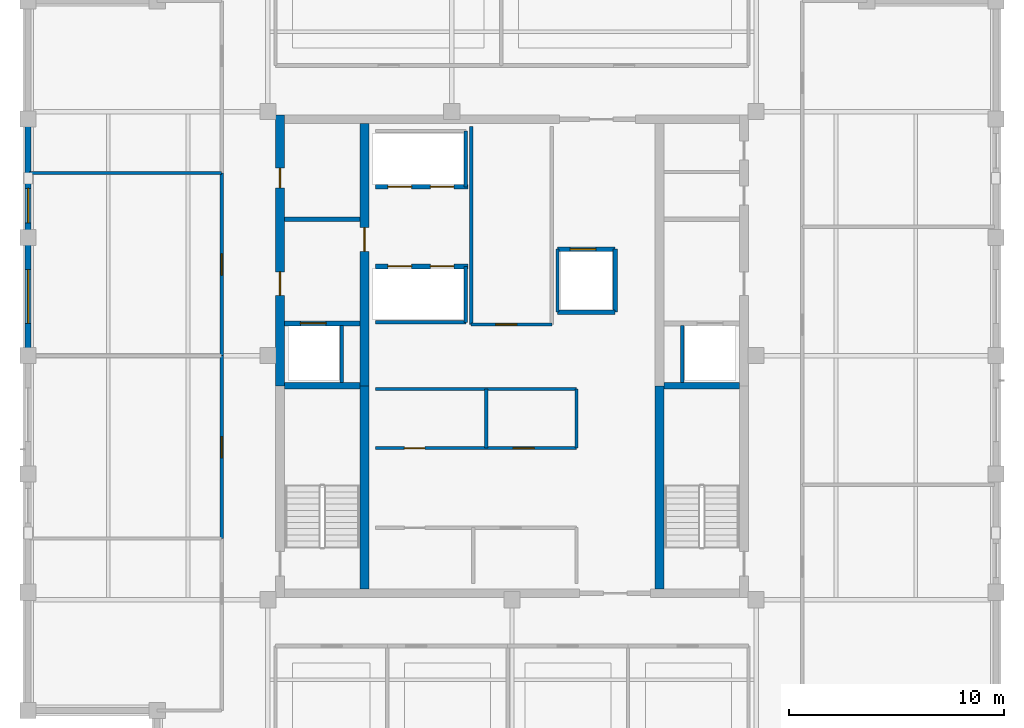
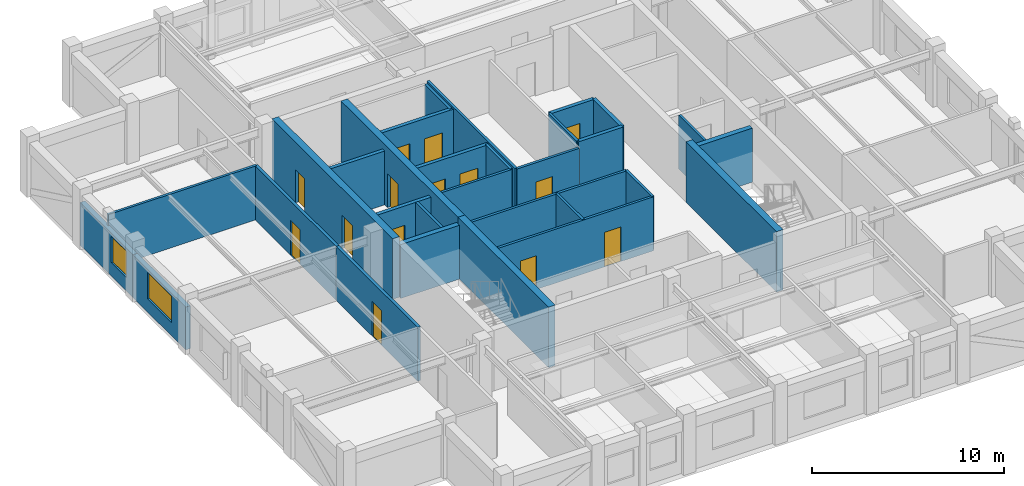
# One storey, part 6 of 10: 30 walls, 14 doors, 2 windows, 16 openings.
"""IFC4 building model written with IfcOpenShell, lengths in metres."""

from ifc_helpers import new_model, si_unit, direction, frame, frame_2d, origin, place, context, subcontext, project, spatial, rectangle, extrude, material, layer, layer_set, type_object, element, fill, save


model = new_model("IFC4")

# Units and contexts
model_context = context("Model", 3, precision=1e-05, world=origin(), true_north=direction((0.0, 1.0)))
body_context = subcontext(model_context, "Body", "Model", "MODEL_VIEW")
ifc_project = project(units=[si_unit("LENGTHUNIT", "METRE"), si_unit("AREAUNIT", "SQUARE_METRE"), si_unit("VOLUMEUNIT", "CUBIC_METRE"), si_unit("PLANEANGLEUNIT", "RADIAN"), si_unit("MASSUNIT", "GRAM", prefix="KILO")], contexts=[model_context])

# Site, building, storey
site_placement = place(None, origin())
site = spatial("IfcSite", under=ifc_project, at=site_placement, CompositionType="ELEMENT")
building_placement = place(site_placement, origin())
building = spatial("IfcBuilding", under=site, at=building_placement, Name="Nhamokura Convention Tower", CompositionType="ELEMENT")
storey_placement = place(building_placement, frame((0.0, 0.0, 262.14990234375)))
storey = spatial("IfcBuildingStorey", under=building, at=storey_placement, Name="L64", CompositionType="ELEMENT", Elevation=262.14990234375)

# Wall, opening, window
ifc_material_1 = material(Name="Bronze-pigmented precast concrete C45/55", Category="concrete")
ifc_layer_1 = layer(ifc_material_1, 0.280029296875)
ifc_layer_set_1 = layer_set([ifc_layer_1], Name="BronzePrecastSpandrel_280")
wall_type_1 = type_object("IfcWallType", Name="BronzePrecastSpandrel_280", PredefinedType="USERDEFINED", material=ifc_layer_set_1)
wall_1_placement = place(storey_placement, frame((9.5, 32.0, 0.0), z_axis=(0.0, 0.0, 1.0), x_axis=(0.0, 1.0, 0.0)))
wall_1 = element("IfcWall", 1, at=wall_1_placement, inside=storey, type_object=wall_type_1, Name="L64 Masonry-Frame Wall WEST 3", ObjectType="SPANDREL_WALL", PredefinedType="USERDEFINED", context=body_context, shape_type="SweptSolid", body=[
    extrude(rectangle(XDim=5.5, YDim=0.280029296875, at=frame_2d((2.75, 0.0))), origin(), (0.0, 0.0, 1.0), 2.72998046875),
])
opening_1_placement = place(wall_1_placement, frame((1.5, 0.0, 0.85009765625)))
opening_1 = element("IfcOpeningElement", 2, at=opening_1_placement, cuts=wall_1, Name="Opening W-09", PredefinedType="OPENING", context=body_context, shape_type="SweptSolid", body=[
    extrude(rectangle(XDim=2.5, YDim=1.679931640625, at=frame_2d((1.25, 0.83984375))), frame((0.0, 0.14990234375, 0.0), z_axis=(0.0, -1.0, 0.0), x_axis=(1.0, 0.0, 0.0)), (0.0, 0.0, 1.0), 0.300048828125),
])
ifc_material_2 = material(Name="Solar-control bronze low-E double glass", Category="glass")
window_type_1 = type_object("IfcWindowType", Name="SummitWindow_Z4_2500", PartitioningType="DOUBLE_PANEL_VERTICAL", PredefinedType="WINDOW", material=ifc_material_2)
window_1_placement = place(opening_1_placement, origin())
window_1 = element("IfcWindow", 3, at=window_1_placement, inside=storey, type_object=window_type_1, Name="L64 Facade Window WEST 3", OverallHeight=1.679931640625, OverallWidth=2.5, PartitioningType="SINGLE_PANEL", PredefinedType="WINDOW", context=body_context, shape_type="SweptSolid", body=[
    extrude(rectangle(XDim=2.5, YDim=1.679931640625, at=frame_2d((1.25, 0.83984375))), frame((0.0, 0.030029296875, 0.0), z_axis=(0.0, -1.0, 0.0), x_axis=(1.0, 0.0, 0.0)), (0.0, 0.0, 1.0), 0.06005859375),
])
fill(opening_1, window_1)

wall_2_placement = place(storey_placement, frame((9.5, 37.5, 0.0), z_axis=(0.0, 0.0, 1.0), x_axis=(0.0, 1.0, 0.0)))
wall_2 = element("IfcWall", 4, at=wall_2_placement, inside=storey, type_object=wall_type_1, Name="L64 Masonry-Frame Wall WEST 4", ObjectType="SPANDREL_WALL", PredefinedType="USERDEFINED", context=body_context, shape_type="SweptSolid", body=[
    extrude(rectangle(XDim=5.5, YDim=0.280029296875, at=frame_2d((2.75, 0.0))), origin(), (0.0, 0.0, 1.0), 2.72998046875),
])
opening_2_placement = place(wall_2_placement, frame((0.675048828125, 0.0, 0.85009765625)))
opening_2 = element("IfcOpeningElement", 5, at=opening_2_placement, cuts=wall_2, Name="Opening W-11", PredefinedType="OPENING", context=body_context, shape_type="SweptSolid", body=[
    extrude(rectangle(XDim=1.60009765625, YDim=1.679931640625, at=frame_2d((0.800048828125, 0.83984375))), frame((0.0, 0.14990234375, 0.0), z_axis=(0.0, -1.0, 0.0), x_axis=(1.0, 0.0, 0.0)), (0.0, 0.0, 1.0), 0.300048828125),
])
ifc_material_3 = material(Name="Solar-control bronze low-E double glass", Category="glass")
window_type_2 = type_object("IfcWindowType", Name="NotchCornerWindow_1600", PartitioningType="SINGLE_PANEL", PredefinedType="WINDOW", material=ifc_material_3)
window_2_placement = place(opening_2_placement, origin())
window_2 = element("IfcWindow", 6, at=window_2_placement, inside=storey, type_object=window_type_2, Name="L64 Facade Window WEST 4-1", OverallHeight=1.679931640625, OverallWidth=1.60009765625, PartitioningType="SINGLE_PANEL", PredefinedType="WINDOW", context=body_context, shape_type="SweptSolid", body=[
    extrude(rectangle(XDim=1.60009765625, YDim=1.679931640625, at=frame_2d((0.800048828125, 0.83984375))), frame((0.0, 0.030029296875, 0.0), z_axis=(0.0, -1.0, 0.0), x_axis=(1.0, 0.0, 0.0)), (0.0, 0.0, 1.0), 0.06005859375),
])
fill(opening_2, window_2)

# Wall, openings, doors
ifc_material_4 = material(Name="Concrete C50/60", Category="concrete")
ifc_layer_2 = layer(ifc_material_4, 0.39990234375)
ifc_layer_set_2 = layer_set([ifc_layer_2], Name="CoreShearWall_400")
wall_type_2 = type_object("IfcWallType", Name="CoreShearWall_400", PredefinedType="SHEAR", material=ifc_layer_set_2)
wall_3_placement = place(storey_placement, frame((21.2099609375, 30.60009765625, 0.0), z_axis=(0.0, 0.0, 1.0), x_axis=(0.0, 1.0, 0.0)))
wall_3 = element("IfcWall", 7, at=wall_3_placement, inside=storey, type_object=wall_type_2, Name="L64 Core Shear Wall CW-WN", PredefinedType="SHEAR", context=body_context, shape_type="SweptSolid", body=[
    extrude(rectangle(XDim=12.599853515625, YDim=0.39990234375, at=frame_2d((6.2998046875, 0.0))), origin(), (0.0, 0.0, 1.0), 3.85009765625),
])
opening_3_placement = place(wall_3_placement, frame((4.199951171875, 0.0, 0.0)))
opening_3 = element("IfcOpeningElement", 8, at=opening_3_placement, cuts=wall_3, Name="Opening D-05", PredefinedType="OPENING", context=body_context, shape_type="SweptSolid", body=[
    extrude(rectangle(XDim=1.10009765625, YDim=2.14990234375, at=frame_2d((0.550048828125, 1.074951171875))), frame((0.0, 0.2099609375, 0.0), z_axis=(0.0, -1.0, 0.0), x_axis=(1.0, 0.0, 0.0)), (0.0, 0.0, 1.0), 0.419921875),
])
opening_4_placement = place(wall_3_placement, frame((9.199951171875, 0.0, 0.0)))
opening_4 = element("IfcOpeningElement", 9, at=opening_4_placement, cuts=wall_3, Name="Opening D-10", PredefinedType="OPENING", context=body_context, shape_type="SweptSolid", body=[
    extrude(rectangle(XDim=0.919921875, YDim=2.10009765625, at=frame_2d((0.4599609375, 1.050048828125))), frame((0.0, 0.2099609375, 0.0), z_axis=(0.0, -1.0, 0.0), x_axis=(1.0, 0.0, 0.0)), (0.0, 0.0, 1.0), 0.419921875),
])
ifc_material_5 = material(Name="Solid oak hardwood", Category="wood")
door_type_1 = type_object("IfcDoorType", Name="AccessibleWCDoor_920", OperationType="NOTDEFINED", PredefinedType="DOOR", material=ifc_material_5)
door_1_placement = place(opening_4_placement, origin())
door_1 = element("IfcDoor", 10, at=door_1_placement, inside=storey, type_object=door_type_1, Name="L64 Core Door INT-L64-D-AWC", OperationType="SINGLE_SWING_LEFT", OverallHeight=2.10009765625, OverallWidth=0.919921875, PredefinedType="DOOR", context=body_context, shape_type="SweptSolid", body=[
    extrude(rectangle(XDim=0.919921875, YDim=2.10009765625, at=frame_2d((0.4599609375, 1.050048828125))), frame((0.0, 0.02490234375, 0.0), z_axis=(0.0, -1.0, 0.0), x_axis=(1.0, 0.0, 0.0)), (0.0, 0.0, 1.0), 0.050048828125),
])
fill(opening_4, door_1)
ifc_material_6 = material(Name="Fire-rated steel door", Category="steel")
door_type_2 = type_object("IfcDoorType", Name="FireLobbyDoor_1100", OperationType="NOTDEFINED", PredefinedType="DOOR", material=ifc_material_6)
door_2_placement = place(opening_3_placement, origin())
door_2 = element("IfcDoor", 11, at=door_2_placement, inside=storey, type_object=door_type_2, Name="L64 Core Door INT-L64-D-FFLW", OperationType="SINGLE_SWING_RIGHT", OverallHeight=2.14990234375, OverallWidth=1.10009765625, PredefinedType="DOOR", context=body_context, shape_type="SweptSolid", body=[
    extrude(rectangle(XDim=1.10009765625, YDim=2.14990234375, at=frame_2d((0.550048828125, 1.074951171875))), frame((0.0, 0.02490234375, 0.0), z_axis=(0.0, -1.0, 0.0), x_axis=(1.0, 0.0, 0.0)), (0.0, 0.0, 1.0), 0.050048828125),
])
fill(opening_3, door_2)

# Wall
wall_4_placement = place(storey_placement, frame((25.139892578125, 21.14990234375, 0.0), z_axis=(0.0, 0.0, 1.0), x_axis=(0.0, 1.0, 0.0)))
element("IfcWall", 12, at=wall_4_placement, inside=storey, type_object=wall_type_2, Name="L64 Core Shear Wall CW-IWS", PredefinedType="SHEAR", context=body_context, shape_type="SweptSolid", body=[
    extrude(rectangle(XDim=9.4501953125, YDim=0.39990234375, at=frame_2d((4.72509765625, 0.0))), origin(), (0.0, 0.0, 1.0), 3.85009765625),
])

# Wall, opening, door
wall_5_placement = place(storey_placement, frame((25.139892578125, 30.60009765625, 0.0), z_axis=(0.0, 0.0, 1.0), x_axis=(0.0, 1.0, 0.0)))
wall_5 = element("IfcWall", 13, at=wall_5_placement, inside=storey, type_object=wall_type_2, Name="L64 Core Shear Wall CW-IWN", PredefinedType="SHEAR", context=body_context, shape_type="SweptSolid", body=[
    extrude(rectangle(XDim=12.199951171875, YDim=0.39990234375, at=frame_2d((6.10009765625, 0.0))), origin(), (0.0, 0.0, 1.0), 3.85009765625),
])
opening_5_placement = place(wall_5_placement, frame((6.25, 0.0, 0.0)))
opening_5 = element("IfcOpeningElement", 14, at=opening_5_placement, cuts=wall_5, Name="Opening D-05", PredefinedType="OPENING", context=body_context, shape_type="SweptSolid", body=[
    extrude(rectangle(XDim=1.10009765625, YDim=2.14990234375, at=frame_2d((0.550048828125, 1.074951171875))), frame((0.0, 0.2099609375, 0.0), z_axis=(0.0, -1.0, 0.0), x_axis=(1.0, 0.0, 0.0)), (0.0, 0.0, 1.0), 0.419921875),
])
door_3_placement = place(opening_5_placement, origin())
door_3 = element("IfcDoor", 15, at=door_3_placement, inside=storey, type_object=door_type_2, Name="L64 Core Door INT-L64-D-B3LOB", OperationType="SINGLE_SWING_LEFT", OverallHeight=2.14990234375, OverallWidth=1.10009765625, PredefinedType="DOOR", context=body_context, shape_type="SweptSolid", body=[
    extrude(rectangle(XDim=1.10009765625, YDim=2.14990234375, at=frame_2d((0.550048828125, 1.074951171875))), frame((0.0, 0.02490234375, 0.0), z_axis=(0.0, -1.0, 0.0), x_axis=(1.0, 0.0, 0.0)), (0.0, 0.0, 1.0), 0.050048828125),
])
fill(opening_5, door_3)

# Wall
wall_6_placement = place(storey_placement, frame((38.860107421875, 21.14990234375, 0.0), z_axis=(0.0, 0.0, 1.0), x_axis=(0.0, 1.0, 0.0)))
element("IfcWall", 16, at=wall_6_placement, inside=storey, type_object=wall_type_2, Name="L64 Core Shear Wall CW-IES", PredefinedType="SHEAR", context=body_context, shape_type="SweptSolid", body=[
    extrude(rectangle(XDim=9.4501953125, YDim=0.39990234375, at=frame_2d((4.72509765625, 0.0))), origin(), (0.0, 0.0, 1.0), 3.85009765625),
])

# Wall, opening, door
ifc_material_7 = material(Name="Fire-rated gypsum and masonry partition", Category="masonry")
ifc_layer_3 = layer(ifc_material_7, 0.179931640625)
ifc_layer_set_3 = layer_set([ifc_layer_3], Name="CorridorRatedWall_180")
wall_type_3 = type_object("IfcWallType", Name="CorridorRatedWall_180", PredefinedType="STANDARD", material=ifc_layer_set_3)
wall_7_placement = place(storey_placement, frame((18.5, 23.5, 0.0), z_axis=(0.0, 0.0, 1.0), x_axis=(0.0, 1.0, 0.0)))
wall_7 = element("IfcWall", 17, at=wall_7_placement, inside=storey, type_object=wall_type_3, Name="L64 Wall INT-L64-CW-W01", PredefinedType="STANDARD", context=body_context, shape_type="SweptSolid", body=[
    extrude(rectangle(XDim=8.5, YDim=0.179931640625, at=frame_2d((4.25, 0.0))), origin(), (0.0, 0.0, 1.0), 3.43017578125),
])
opening_6_placement = place(wall_7_placement, frame((3.75, 0.0, 0.0)))
opening_6 = element("IfcOpeningElement", 18, at=opening_6_placement, cuts=wall_7, Name="Opening D-08", PredefinedType="OPENING", context=body_context, shape_type="SweptSolid", body=[
    extrude(rectangle(XDim=0.97998046875, YDim=2.199951171875, at=frame_2d((0.489990234375, 1.10009765625))), frame((0.0, 0.099853515625, 0.0), z_axis=(0.0, -1.0, 0.0), x_axis=(1.0, 0.0, 0.0)), (0.0, 0.0, 1.0), 0.199951171875),
])
ifc_material_8 = material(Name="Solid oak hardwood", Category="wood")
door_type_3 = type_object("IfcDoorType", Name="OfficeEntryDoor_980", OperationType="NOTDEFINED", PredefinedType="DOOR", material=ifc_material_8)
door_4_placement = place(opening_6_placement, origin())
door_4 = element("IfcDoor", 19, at=door_4_placement, inside=storey, type_object=door_type_3, Name="L64 Private Office W02 Door", OperationType="SINGLE_SWING_RIGHT", OverallHeight=2.199951171875, OverallWidth=0.97998046875, PredefinedType="DOOR", context=body_context, shape_type="SweptSolid", body=[
    extrude(rectangle(XDim=0.97998046875, YDim=2.199951171875, at=frame_2d((0.489990234375, 1.10009765625))), frame((0.0, 0.02490234375, 0.0), z_axis=(0.0, -1.0, 0.0), x_axis=(1.0, 0.0, 0.0)), (0.0, 0.0, 1.0), 0.050048828125),
])
fill(opening_6, door_4)

wall_8_placement = place(storey_placement, frame((18.5, 32.0, 0.0), z_axis=(0.0, 0.0, 1.0), x_axis=(0.0, 1.0, 0.0)))
wall_8 = element("IfcWall", 20, at=wall_8_placement, inside=storey, type_object=wall_type_3, Name="L64 Wall INT-L64-CW-W02", PredefinedType="STANDARD", context=body_context, shape_type="SweptSolid", body=[
    extrude(rectangle(XDim=8.5, YDim=0.179931640625, at=frame_2d((4.25, 0.0))), origin(), (0.0, 0.0, 1.0), 3.43017578125),
])
opening_7_placement = place(wall_8_placement, frame((3.75, 0.0, 0.0)))
opening_7 = element("IfcOpeningElement", 21, at=opening_7_placement, cuts=wall_8, Name="Opening D-08", PredefinedType="OPENING", context=body_context, shape_type="SweptSolid", body=[
    extrude(rectangle(XDim=0.97998046875, YDim=2.199951171875, at=frame_2d((0.489990234375, 1.10009765625))), frame((0.0, 0.099853515625, 0.0), z_axis=(0.0, -1.0, 0.0), x_axis=(1.0, 0.0, 0.0)), (0.0, 0.0, 1.0), 0.199951171875),
])
door_5_placement = place(opening_7_placement, origin())
door_5 = element("IfcDoor", 22, at=door_5_placement, inside=storey, type_object=door_type_3, Name="L64 Boardroom W03 Door", OperationType="SINGLE_SWING_LEFT", OverallHeight=2.199951171875, OverallWidth=0.97998046875, PredefinedType="DOOR", context=body_context, shape_type="SweptSolid", body=[
    extrude(rectangle(XDim=0.97998046875, YDim=2.199951171875, at=frame_2d((0.489990234375, 1.10009765625))), frame((0.0, 0.02490234375, 0.0), z_axis=(0.0, -1.0, 0.0), x_axis=(1.0, 0.0, 0.0)), (0.0, 0.0, 1.0), 0.050048828125),
])
fill(opening_7, door_5)

ifc_material_9 = material(Name="Autoclaved concrete blockwork", Category="masonry")
ifc_layer_4 = layer(ifc_material_9, 0.219970703125)
ifc_layer_set_4 = layer_set([ifc_layer_4], Name="FireLobbyWall_220")
wall_type_4 = type_object("IfcWallType", Name="FireLobbyWall_220", PredefinedType="STANDARD", material=ifc_layer_set_4)
wall_9_placement = place(storey_placement, frame((21.409912109375, 33.5, 0.0), z_axis=(0.0, 0.0, 1.0), x_axis=(1.0, 0.0, 0.0)))
wall_9 = element("IfcWall", 23, at=wall_9_placement, inside=storey, type_object=wall_type_4, Name="L64 Wall INT-L64-FFW-S", PredefinedType="STANDARD", context=body_context, shape_type="SweptSolid", body=[
    extrude(rectangle(XDim=3.530029296875, YDim=0.219970703125, at=frame_2d((1.76513671875, 0.0))), origin(), (0.0, 0.0, 1.0), 3.43017578125),
])
opening_8_placement = place(wall_9_placement, frame((0.75, 0.0, 0.0)))
opening_8 = element("IfcOpeningElement", 24, at=opening_8_placement, cuts=wall_9, Name="Opening LD-02", PredefinedType="OPENING", context=body_context, shape_type="SweptSolid", body=[
    extrude(rectangle(XDim=1.199951171875, YDim=2.199951171875, at=frame_2d((0.60009765625, 1.10009765625))), frame((0.0, 0.119873046875, 0.0), z_axis=(0.0, -1.0, 0.0), x_axis=(1.0, 0.0, 0.0)), (0.0, 0.0, 1.0), 0.239990234375),
])
ifc_material_10 = material(Name="Anodised bronze stainless steel", Category="steel")
door_type_4 = type_object("IfcDoorType", Name="LiftLandingDoor_FireService", OperationType="DOUBLE_DOOR_SLIDING", PredefinedType="DOOR", material=ifc_material_10)
door_6_placement = place(opening_8_placement, origin())
door_6 = element("IfcDoor", 25, at=door_6_placement, inside=storey, type_object=door_type_4, Name="L64 Firefighting Lift LF-01 Door", OperationType="DOUBLE_DOOR_SLIDING", OverallHeight=2.199951171875, OverallWidth=1.199951171875, PredefinedType="DOOR", context=body_context, shape_type="SweptSolid", body=[
    extrude(rectangle(XDim=1.199951171875, YDim=2.199951171875, at=frame_2d((0.60009765625, 1.10009765625))), frame((0.0, 0.02490234375, 0.0), z_axis=(0.0, -1.0, 0.0), x_axis=(1.0, 0.0, 0.0)), (0.0, 0.0, 1.0), 0.050048828125),
])
fill(opening_8, door_6)

# Wall
wall_10_placement = place(storey_placement, frame((21.409912109375, 38.35009765625, 0.0), z_axis=(0.0, 0.0, 1.0), x_axis=(1.0, 0.0, 0.0)))
element("IfcWall", 26, at=wall_10_placement, inside=storey, type_object=wall_type_4, Name="L64 Wall INT-L64-FFW-N", PredefinedType="STANDARD", context=body_context, shape_type="SweptSolid", body=[
    extrude(rectangle(XDim=3.530029296875, YDim=0.219970703125, at=frame_2d((1.76513671875, 0.0))), origin(), (0.0, 0.0, 1.0), 3.43017578125),
])

# Wall, openings, doors
wall_11_placement = place(storey_placement, frame((25.64990234375, 36.14990234375, 0.0), z_axis=(0.0, 0.0, 1.0), x_axis=(1.0, 0.0, 0.0)))
wall_11 = element("IfcWall", 27, at=wall_11_placement, inside=storey, type_object=wall_type_4, Name="L64 Wall INT-L64-B3S", PredefinedType="STANDARD", context=body_context, shape_type="SweptSolid", body=[
    extrude(rectangle(XDim=4.300048828125, YDim=0.219970703125, at=frame_2d((2.14990234375, 0.0))), origin(), (0.0, 0.0, 1.0), 3.43017578125),
])
opening_9_placement = place(wall_11_placement, frame((0.580078125, 0.0, 0.0)))
opening_9 = element("IfcOpeningElement", 28, at=opening_9_placement, cuts=wall_11, Name="Opening LD-01", PredefinedType="OPENING", context=body_context, shape_type="SweptSolid", body=[
    extrude(rectangle(XDim=1.10009765625, YDim=2.14990234375, at=frame_2d((0.550048828125, 1.074951171875))), frame((0.0, 0.119873046875, 0.0), z_axis=(0.0, -1.0, 0.0), x_axis=(1.0, 0.0, 0.0)), (0.0, 0.0, 1.0), 0.239990234375),
])
opening_10_placement = place(wall_11_placement, frame((2.550048828125, 0.0, 0.0)))
opening_10 = element("IfcOpeningElement", 29, at=opening_10_placement, cuts=wall_11, Name="Opening LD-01", PredefinedType="OPENING", context=body_context, shape_type="SweptSolid", body=[
    extrude(rectangle(XDim=1.10009765625, YDim=2.14990234375, at=frame_2d((0.550048828125, 1.074951171875))), frame((0.0, 0.119873046875, 0.0), z_axis=(0.0, -1.0, 0.0), x_axis=(1.0, 0.0, 0.0)), (0.0, 0.0, 1.0), 0.239990234375),
])
ifc_material_11 = material(Name="Anodised bronze stainless steel", Category="steel")
door_type_5 = type_object("IfcDoorType", Name="LiftLandingDoor_Passenger", OperationType="DOUBLE_DOOR_SLIDING", PredefinedType="DOOR", material=ifc_material_11)
door_7_placement = place(opening_9_placement, origin())
door_7 = element("IfcDoor", 30, at=door_7_placement, inside=storey, type_object=door_type_5, Name="L64 Lift LP-09 Door", OperationType="DOUBLE_DOOR_SLIDING", OverallHeight=2.14990234375, OverallWidth=1.10009765625, PredefinedType="DOOR", context=body_context, shape_type="SweptSolid", body=[
    extrude(rectangle(XDim=1.10009765625, YDim=2.14990234375, at=frame_2d((0.550048828125, 1.074951171875))), frame((0.0, 0.02490234375, 0.0), z_axis=(0.0, -1.0, 0.0), x_axis=(1.0, 0.0, 0.0)), (0.0, 0.0, 1.0), 0.050048828125),
])
fill(opening_9, door_7)
door_8_placement = place(opening_10_placement, origin())
door_8 = element("IfcDoor", 31, at=door_8_placement, inside=storey, type_object=door_type_5, Name="L64 Lift LP-10 Door", OperationType="DOUBLE_DOOR_SLIDING", OverallHeight=2.14990234375, OverallWidth=1.10009765625, PredefinedType="DOOR", context=body_context, shape_type="SweptSolid", body=[
    extrude(rectangle(XDim=1.10009765625, YDim=2.14990234375, at=frame_2d((0.550048828125, 1.074951171875))), frame((0.0, 0.02490234375, 0.0), z_axis=(0.0, -1.0, 0.0), x_axis=(1.0, 0.0, 0.0)), (0.0, 0.0, 1.0), 0.050048828125),
])
fill(opening_10, door_8)

wall_12_placement = place(storey_placement, frame((25.64990234375, 39.85009765625, 0.0), z_axis=(0.0, 0.0, 1.0), x_axis=(1.0, 0.0, 0.0)))
wall_12 = element("IfcWall", 32, at=wall_12_placement, inside=storey, type_object=wall_type_4, Name="L64 Wall INT-L64-B3N", PredefinedType="STANDARD", context=body_context, shape_type="SweptSolid", body=[
    extrude(rectangle(XDim=4.300048828125, YDim=0.219970703125, at=frame_2d((2.14990234375, 0.0))), origin(), (0.0, 0.0, 1.0), 3.43017578125),
])
opening_11_placement = place(wall_12_placement, frame((0.580078125, 0.0, 0.0)))
opening_11 = element("IfcOpeningElement", 33, at=opening_11_placement, cuts=wall_12, Name="Opening LD-01", PredefinedType="OPENING", context=body_context, shape_type="SweptSolid", body=[
    extrude(rectangle(XDim=1.10009765625, YDim=2.14990234375, at=frame_2d((0.550048828125, 1.074951171875))), frame((0.0, 0.119873046875, 0.0), z_axis=(0.0, -1.0, 0.0), x_axis=(1.0, 0.0, 0.0)), (0.0, 0.0, 1.0), 0.239990234375),
])
opening_12_placement = place(wall_12_placement, frame((2.550048828125, 0.0, 0.0)))
opening_12 = element("IfcOpeningElement", 34, at=opening_12_placement, cuts=wall_12, Name="Opening LD-01", PredefinedType="OPENING", context=body_context, shape_type="SweptSolid", body=[
    extrude(rectangle(XDim=1.10009765625, YDim=2.14990234375, at=frame_2d((0.550048828125, 1.074951171875))), frame((0.0, 0.119873046875, 0.0), z_axis=(0.0, -1.0, 0.0), x_axis=(1.0, 0.0, 0.0)), (0.0, 0.0, 1.0), 0.239990234375),
])
door_9_placement = place(opening_11_placement, origin())
door_9 = element("IfcDoor", 35, at=door_9_placement, inside=storey, type_object=door_type_5, Name="L64 Lift LP-11 Door", OperationType="DOUBLE_DOOR_SLIDING", OverallHeight=2.14990234375, OverallWidth=1.10009765625, PredefinedType="DOOR", context=body_context, shape_type="SweptSolid", body=[
    extrude(rectangle(XDim=1.10009765625, YDim=2.14990234375, at=frame_2d((0.550048828125, 1.074951171875))), frame((0.0, 0.02490234375, 0.0), z_axis=(0.0, -1.0, 0.0), x_axis=(1.0, 0.0, 0.0)), (0.0, 0.0, 1.0), 0.050048828125),
])
fill(opening_11, door_9)
door_10_placement = place(opening_12_placement, origin())
door_10 = element("IfcDoor", 36, at=door_10_placement, inside=storey, type_object=door_type_5, Name="L64 Lift LP-12 Door", OperationType="DOUBLE_DOOR_SLIDING", OverallHeight=2.14990234375, OverallWidth=1.10009765625, PredefinedType="DOOR", context=body_context, shape_type="SweptSolid", body=[
    extrude(rectangle(XDim=1.10009765625, YDim=2.14990234375, at=frame_2d((0.550048828125, 1.074951171875))), frame((0.0, 0.02490234375, 0.0), z_axis=(0.0, -1.0, 0.0), x_axis=(1.0, 0.0, 0.0)), (0.0, 0.0, 1.0), 0.050048828125),
])
fill(opening_12, door_10)

# Wall, opening, door
wall_13_placement = place(storey_placement, frame((34.1201171875, 36.949951171875, 0.0), z_axis=(0.0, 0.0, 1.0), x_axis=(1.0, 0.0, 0.0)))
wall_13 = element("IfcWall", 37, at=wall_13_placement, inside=storey, type_object=wall_type_4, Name="L64 Wall INT-L64-LSN", PredefinedType="STANDARD", context=body_context, shape_type="SweptSolid", body=[
    extrude(rectangle(XDim=2.679931640625, YDim=0.219970703125, at=frame_2d((1.33984375, 0.0))), origin(), (0.0, 0.0, 1.0), 3.43017578125),
])
opening_13_placement = place(wall_13_placement, frame((0.580078125, 0.0, 0.0)))
opening_13 = element("IfcOpeningElement", 38, at=opening_13_placement, cuts=wall_13, Name="Opening LD-02", PredefinedType="OPENING", context=body_context, shape_type="SweptSolid", body=[
    extrude(rectangle(XDim=1.199951171875, YDim=2.199951171875, at=frame_2d((0.60009765625, 1.10009765625))), frame((0.0, 0.119873046875, 0.0), z_axis=(0.0, -1.0, 0.0), x_axis=(1.0, 0.0, 0.0)), (0.0, 0.0, 1.0), 0.239990234375),
])
door_11_placement = place(opening_13_placement, origin())
door_11 = element("IfcDoor", 39, at=door_11_placement, inside=storey, type_object=door_type_4, Name="L64 Service Lift LS-01 Door", OperationType="DOUBLE_DOOR_SLIDING", OverallHeight=2.199951171875, OverallWidth=1.199951171875, PredefinedType="DOOR", context=body_context, shape_type="SweptSolid", body=[
    extrude(rectangle(XDim=1.199951171875, YDim=2.199951171875, at=frame_2d((0.60009765625, 1.10009765625))), frame((0.0, 0.02490234375, 0.0), z_axis=(0.0, -1.0, 0.0), x_axis=(1.0, 0.0, 0.0)), (0.0, 0.0, 1.0), 0.050048828125),
])
fill(opening_13, door_11)

# Walls
wall_14_placement = place(storey_placement, frame((36.800048828125, 34.02001953125, 0.0), z_axis=(0.0, 0.0, 1.0), x_axis=(0.0, 1.0, 0.0)))
element("IfcWall", 40, at=wall_14_placement, inside=storey, type_object=wall_type_4, Name="L64 Wall INT-L64-LSE", PredefinedType="STANDARD", context=body_context, shape_type="SweptSolid", body=[
    extrude(rectangle(XDim=2.929931640625, YDim=0.219970703125, at=frame_2d((1.46484375, 0.0))), origin(), (0.0, 0.0, 1.0), 3.43017578125),
])
wall_15_placement = place(storey_placement, frame((34.1201171875, 34.02001953125, 0.0), z_axis=(0.0, 0.0, 1.0), x_axis=(1.0, 0.0, 0.0)))
element("IfcWall", 41, at=wall_15_placement, inside=storey, type_object=wall_type_4, Name="L64 Wall INT-L64-LSS", PredefinedType="STANDARD", context=body_context, shape_type="SweptSolid", body=[
    extrude(rectangle(XDim=2.679931640625, YDim=0.219970703125, at=frame_2d((1.33984375, 0.0))), origin(), (0.0, 0.0, 1.0), 3.43017578125),
])
ifc_material_12 = material(Name="Acoustic gypsum stud partition", Category="masonry")
ifc_layer_5 = layer(ifc_material_12, 0.14990234375)
ifc_layer_set_5 = layer_set([ifc_layer_5], Name="InteriorPartition_150")
wall_type_5 = type_object("IfcWallType", Name="InteriorPartition_150", PredefinedType="STANDARD", material=ifc_layer_set_5)
for number, where, z_axis, x_axis, name in (
    (42, (24.080078125, 30.75, 0.0), (0.0, 0.0, 1.0), (0.0, 1.0, 0.0), "L64 Wall INT-L64-FF1-E"),
    (43, (39.919921875, 30.75, 0.0), (0.0, 0.0, 1.0), (0.0, 1.0, 0.0), "L64 Wall INT-L64-FF2-W"),
):
    element("IfcWall", number, at=place(storey_placement, frame(where, z_axis=z_axis, x_axis=x_axis)), inside=storey, type_object=wall_type_5, Name=name, PredefinedType="STANDARD", context=body_context, shape_type="SweptSolid", body=[
        extrude(rectangle(XDim=2.64990234375, YDim=0.14990234375, at=frame_2d((1.324951171875, 0.0))), origin(), (0.0, 0.0, 1.0), 3.43017578125),
    ])

# Wall, openings, doors
wall_16_placement = place(storey_placement, frame((25.64990234375, 27.699951171875, 0.0), z_axis=(0.0, 0.0, 1.0), x_axis=(1.0, 0.0, 0.0)))
wall_16 = element("IfcWall", 44, at=wall_16_placement, inside=storey, type_object=wall_type_5, Name="L64 Wall INT-L64-B2R-S", PredefinedType="STANDARD", context=body_context, shape_type="SweptSolid", body=[
    extrude(rectangle(XDim=9.35009765625, YDim=0.14990234375, at=frame_2d((4.675048828125, 0.0))), origin(), (0.0, 0.0, 1.0), 3.43017578125),
])
opening_14_placement = place(wall_16_placement, frame((1.35009765625, 0.0, 0.0)))
opening_14 = element("IfcOpeningElement", 45, at=opening_14_placement, cuts=wall_16, Name="Opening D-09", PredefinedType="OPENING", context=body_context, shape_type="SweptSolid", body=[
    extrude(rectangle(XDim=0.949951171875, YDim=2.14990234375, at=frame_2d((0.47509765625, 1.074951171875))), frame((0.0, 0.0849609375, 0.0), z_axis=(0.0, -1.0, 0.0), x_axis=(1.0, 0.0, 0.0)), (0.0, 0.0, 1.0), 0.169921875),
])
opening_15_placement = place(wall_16_placement, frame((6.39990234375, 0.0, 0.0)))
opening_15 = element("IfcOpeningElement", 46, at=opening_15_placement, cuts=wall_16, Name="Opening D-08", PredefinedType="OPENING", context=body_context, shape_type="SweptSolid", body=[
    extrude(rectangle(XDim=0.97998046875, YDim=2.199951171875, at=frame_2d((0.489990234375, 1.10009765625))), frame((0.0, 0.0849609375, 0.0), z_axis=(0.0, -1.0, 0.0), x_axis=(1.0, 0.0, 0.0)), (0.0, 0.0, 1.0), 0.169921875),
])
ifc_material_13 = material(Name="Solid oak hardwood", Category="wood")
door_type_6 = type_object("IfcDoorType", Name="MeetingRoomDoor_950", OperationType="NOTDEFINED", PredefinedType="DOOR", material=ifc_material_13)
door_12_placement = place(opening_14_placement, origin())
door_12 = element("IfcDoor", 47, at=door_12_placement, inside=storey, type_object=door_type_6, Name="L64 Caucus Suite Door", OperationType="SINGLE_SWING_LEFT", OverallHeight=2.14990234375, OverallWidth=0.949951171875, PredefinedType="DOOR", context=body_context, shape_type="SweptSolid", body=[
    extrude(rectangle(XDim=0.949951171875, YDim=2.14990234375, at=frame_2d((0.47509765625, 1.074951171875))), frame((0.0, 0.02490234375, 0.0), z_axis=(0.0, -1.0, 0.0), x_axis=(1.0, 0.0, 0.0)), (0.0, 0.0, 1.0), 0.050048828125),
])
fill(opening_14, door_12)
door_13_placement = place(opening_15_placement, origin())
door_13 = element("IfcDoor", 48, at=door_13_placement, inside=storey, type_object=door_type_3, Name="L64 Summit Pantry Door", OperationType="SINGLE_SWING_RIGHT", OverallHeight=2.199951171875, OverallWidth=0.97998046875, PredefinedType="DOOR", context=body_context, shape_type="SweptSolid", body=[
    extrude(rectangle(XDim=0.97998046875, YDim=2.199951171875, at=frame_2d((0.489990234375, 1.10009765625))), frame((0.0, 0.02490234375, 0.0), z_axis=(0.0, -1.0, 0.0), x_axis=(1.0, 0.0, 0.0)), (0.0, 0.0, 1.0), 0.050048828125),
])
fill(opening_15, door_13)

# Walls
wall_17_placement = place(storey_placement, frame((25.64990234375, 30.449951171875, 0.0), z_axis=(0.0, 0.0, 1.0), x_axis=(1.0, 0.0, 0.0)))
element("IfcWall", 49, at=wall_17_placement, inside=storey, type_object=wall_type_5, Name="L64 Wall INT-L64-B2R-N", PredefinedType="STANDARD", context=body_context, shape_type="SweptSolid", body=[
    extrude(rectangle(XDim=9.35009765625, YDim=0.14990234375, at=frame_2d((4.675048828125, 0.0))), origin(), (0.0, 0.0, 1.0), 3.43017578125),
])
for number, where, z_axis, x_axis, name in (
    (50, (30.800048828125, 27.699951171875, 0.0), (0.0, 0.0, 1.0), (0.0, 1.0, 0.0), "L64 Wall INT-L64-B2R-M"),
    (51, (35.0, 27.699951171875, 0.0), (0.0, 0.0, 1.0), (0.0, 1.0, 0.0), "L64 Wall INT-L64-B2R-E"),
):
    element("IfcWall", number, at=place(storey_placement, frame(where, z_axis=z_axis, x_axis=x_axis)), inside=storey, type_object=wall_type_5, Name=name, PredefinedType="STANDARD", context=body_context, shape_type="SweptSolid", body=[
        extrude(rectangle(XDim=2.75, YDim=0.14990234375, at=frame_2d((1.375, 0.0))), origin(), (0.0, 0.0, 1.0), 3.43017578125),
    ])
wall_18_placement = place(storey_placement, frame((25.64990234375, 33.550048828125, 0.0), z_axis=(0.0, 0.0, 1.0), x_axis=(1.0, 0.0, 0.0)))
element("IfcWall", 52, at=wall_18_placement, inside=storey, type_object=wall_type_5, Name="L64 Wall INT-L64-B3A-S", PredefinedType="STANDARD", context=body_context, shape_type="SweptSolid", body=[
    extrude(rectangle(XDim=4.2001953125, YDim=0.14990234375, at=frame_2d((2.10009765625, 0.0))), origin(), (0.0, 0.0, 1.0), 3.43017578125),
])
for number, where, z_axis, x_axis, name in (
    (53, (29.85009765625, 33.550048828125, 0.0), (0.0, 0.0, 1.0), (0.0, 1.0, 0.0), "L64 Wall INT-L64-B3A-E"),
    (54, (29.85009765625, 39.85009765625, 0.0), (0.0, 0.0, 1.0), (0.0, 1.0, 0.0), "L64 Wall INT-L64-B3B-E"),
):
    element("IfcWall", number, at=place(storey_placement, frame(where, z_axis=z_axis, x_axis=x_axis)), inside=storey, type_object=wall_type_5, Name=name, PredefinedType="STANDARD", context=body_context, shape_type="SweptSolid", body=[
        extrude(rectangle(XDim=2.599853515625, YDim=0.14990234375, at=frame_2d((1.2998046875, 0.0))), origin(), (0.0, 0.0, 1.0), 3.43017578125),
    ])
wall_19_placement = place(storey_placement, frame((30.10009765625, 33.449951171875, 0.0), z_axis=(0.0, 0.0, 1.0), x_axis=(0.0, 1.0, 0.0)))
element("IfcWall", 55, at=wall_19_placement, inside=storey, type_object=wall_type_5, Name="L64 Wall INT-L64-ST03W", PredefinedType="STANDARD", context=body_context, shape_type="SweptSolid", body=[
    extrude(rectangle(XDim=9.199951171875, YDim=0.14990234375, at=frame_2d((4.60009765625, 0.0))), origin(), (0.0, 0.0, 1.0), 3.43017578125),
])

# Wall, opening, door
wall_20_placement = place(storey_placement, frame((30.10009765625, 33.449951171875, 0.0), z_axis=(0.0, 0.0, 1.0), x_axis=(1.0, 0.0, 0.0)))
wall_20 = element("IfcWall", 56, at=wall_20_placement, inside=storey, type_object=wall_type_5, Name="L64 Wall INT-L64-ST03S", PredefinedType="STANDARD", context=body_context, shape_type="SweptSolid", body=[
    extrude(rectangle(XDim=3.75, YDim=0.14990234375, at=frame_2d((1.875, 0.0))), origin(), (0.0, 0.0, 1.0), 3.43017578125),
])
opening_16_placement = place(wall_20_placement, frame((1.14990234375, 0.0, 0.0)))
opening_16 = element("IfcOpeningElement", 57, at=opening_16_placement, cuts=wall_20, Name="Opening D-08", PredefinedType="OPENING", context=body_context, shape_type="SweptSolid", body=[
    extrude(rectangle(XDim=0.97998046875, YDim=2.199951171875, at=frame_2d((0.489990234375, 1.10009765625))), frame((0.0, 0.0849609375, 0.0), z_axis=(0.0, -1.0, 0.0), x_axis=(1.0, 0.0, 0.0)), (0.0, 0.0, 1.0), 0.169921875),
])
door_14_placement = place(opening_16_placement, origin())
door_14 = element("IfcDoor", 58, at=door_14_placement, inside=storey, type_object=door_type_3, Name="L64 Wellness and Records Room Door", OperationType="SINGLE_SWING_LEFT", OverallHeight=2.199951171875, OverallWidth=0.97998046875, PredefinedType="DOOR", context=body_context, shape_type="SweptSolid", body=[
    extrude(rectangle(XDim=0.97998046875, YDim=2.199951171875, at=frame_2d((0.489990234375, 1.10009765625))), frame((0.0, 0.02490234375, 0.0), z_axis=(0.0, -1.0, 0.0), x_axis=(1.0, 0.0, 0.0)), (0.0, 0.0, 1.0), 0.050048828125),
])
fill(opening_16, door_14)

# Walls
wall_21_placement = place(storey_placement, frame((34.1201171875, 34.02001953125, 0.0), z_axis=(0.0, 0.0, 1.0), x_axis=(0.0, 1.0, 0.0)))
element("IfcWall", 59, at=wall_21_placement, inside=storey, type_object=wall_type_5, Name="L64 Wall INT-L64-LSW", PredefinedType="STANDARD", context=body_context, shape_type="SweptSolid", body=[
    extrude(rectangle(XDim=2.929931640625, YDim=0.14990234375, at=frame_2d((1.46484375, 0.0))), origin(), (0.0, 0.0, 1.0), 3.43017578125),
])
wall_22_placement = place(storey_placement, frame((9.56005859375, 40.5, 0.0), z_axis=(0.0, 0.0, 1.0), x_axis=(1.0, 0.0, 0.0)))
element("IfcWall", 60, at=wall_22_placement, inside=storey, type_object=wall_type_5, Name="L64 Wall INT-L64-RW-W03", PredefinedType="STANDARD", context=body_context, shape_type="SweptSolid", body=[
    extrude(rectangle(XDim=8.93994140625, YDim=0.14990234375, at=frame_2d((4.469970703125, 0.0))), origin(), (0.0, 0.0, 1.0), 3.43017578125),
])
ifc_material_14 = material(Name="Concrete C50/60", Category="concrete")
ifc_layer_6 = layer(ifc_material_14, 0.300048828125)
ifc_layer_set_6 = layer_set([ifc_layer_6], Name="ShaftEnclosureWall_300")
wall_type_6 = type_object("IfcWallType", Name="ShaftEnclosureWall_300", PredefinedType="SHEAR", material=ifc_layer_set_6)
for number, where, z_axis, x_axis, name in (
    (61, (21.409912109375, 30.60009765625, 0.0), (0.0, 0.0, 1.0), (1.0, 0.0, 0.0), "L64 Wall INT-L64-ST01-N"),
    (62, (39.06005859375, 30.60009765625, 0.0), (0.0, 0.0, 1.0), (1.0, 0.0, 0.0), "L64 Wall INT-L64-ST02-N"),
):
    element("IfcWall", number, at=place(storey_placement, frame(where, z_axis=z_axis, x_axis=x_axis)), inside=storey, type_object=wall_type_6, Name=name, PredefinedType="SHEAR", context=body_context, shape_type="SweptSolid", body=[
        extrude(rectangle(XDim=3.530029296875, YDim=0.300048828125, at=frame_2d((1.76513671875, 0.0))), origin(), (0.0, 0.0, 1.0), 3.43017578125),
    ])

save(model, "model.ifc")
